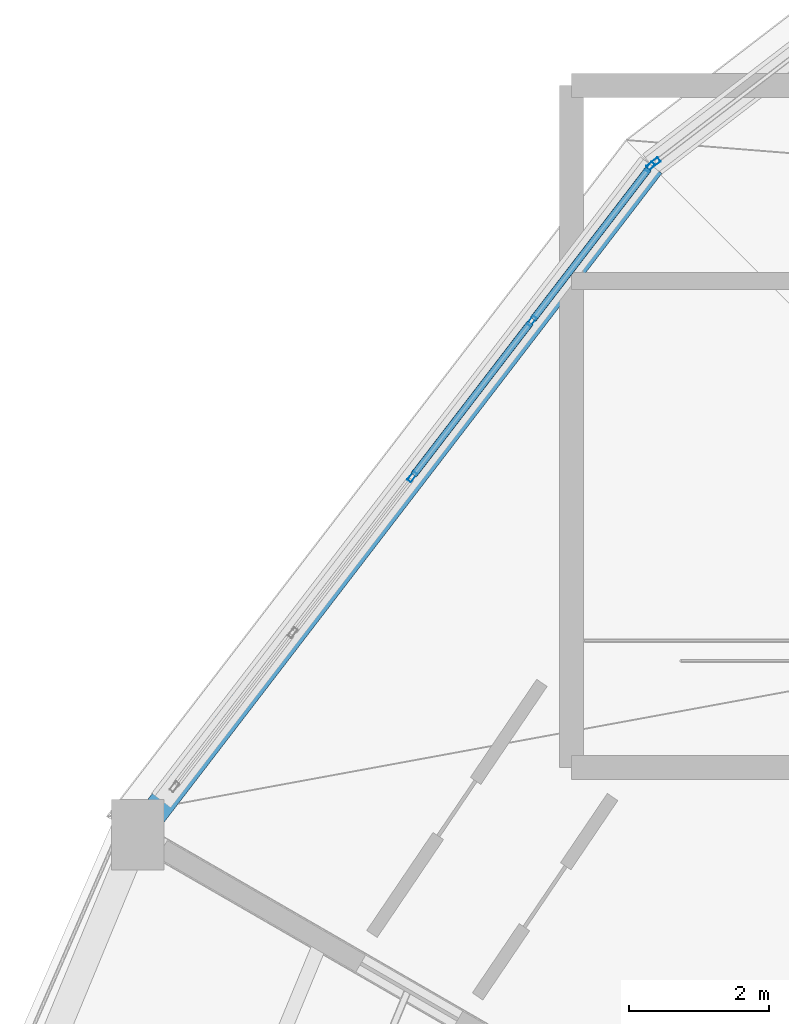
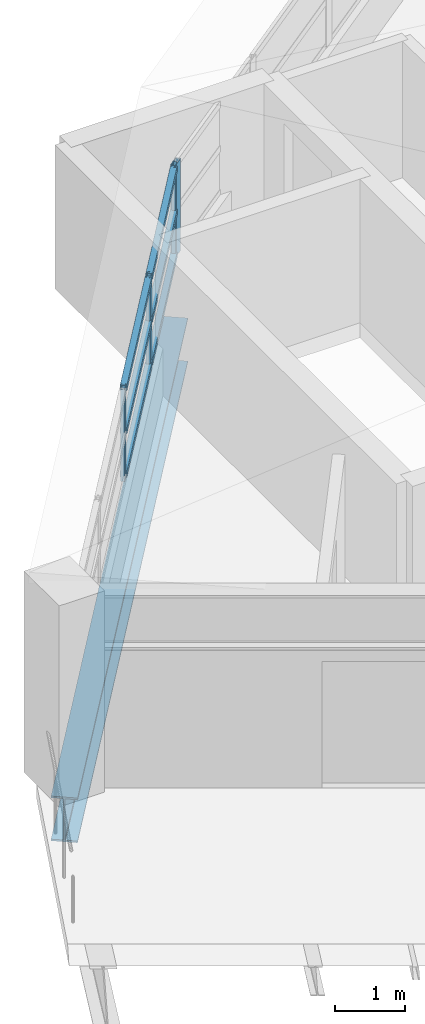
# One storey, part 3 of 12: 10 members, 1 beam, 2 elements without a shape of their own.
"""IFC4 building model written with IfcOpenShell, lengths in metres."""

from ifc_helpers import new_model, si_unit, direction, frame, origin, origin_2d, place, context, subcontext, project, spatial, hollow_rectangle, i_section, extrude, material, layer, layer_set, material_profile, profile_set, type_object, element, aggregate, save


model = new_model("IFC4")

# Units and contexts
model_context = context("Model", 3, precision=1e-05, world=origin(), true_north=direction((0.0, 1.0)))
body_context = subcontext(model_context, "Body", "Model", "MODEL_VIEW")
ifc_project = project(units=[si_unit("LENGTHUNIT", "METRE"), si_unit("AREAUNIT", "SQUARE_METRE"), si_unit("VOLUMEUNIT", "CUBIC_METRE"), si_unit("PLANEANGLEUNIT", "RADIAN"), si_unit("MASSUNIT", "GRAM", prefix="KILO")], contexts=[model_context])

# Site, building, storey
site_placement = place(None, origin())
site = spatial("IfcSite", under=ifc_project, at=site_placement, CompositionType="ELEMENT")
building_placement = place(site_placement, origin())
building = spatial("IfcBuilding", under=site, at=building_placement, Name="Vespera Passage Community Centre", CompositionType="ELEMENT")
storey_placement = place(building_placement, frame((0.0, 0.0, 24.300048828125)))
storey = spatial("IfcBuildingStorey", under=building, at=storey_placement, Name="ROOF", CompositionType="ELEMENT", Elevation=24.300048828125)

# Beam
ifc_material_1 = material(Name="Steel ASTM A992 Grade 50", Category="steel")
ifc_material_profile_1 = material_profile(ifc_material_1, i_section(OverallWidth=0.382080078125, OverallDepth=0.779296875, WebThickness=0.01806640625, FlangeThickness=0.030029296875, FilletRadius=0.0166015625, at=origin_2d()), Name="W30X191")
ifc_profile_set_1 = profile_set([ifc_material_profile_1], Name="Steel ASTM A992 Grade 50")
beam_type = type_object("IfcBeamType", Name="BM-SP-W30X191E", PredefinedType="SPANDREL", material=ifc_profile_set_1)
beam_placement = place(storey_placement, frame((45.40234375, 98.09765625, -0.649658203125), z_axis=(-0.608763261066, -0.793351934501, 0.0), x_axis=(0.793351934501, -0.608763261066, 0.0)))
element("IfcBeam", 1, at=beam_placement, inside=storey, type_object=beam_type, Name="V4 ROOF Outer Spandrel 9", PredefinedType="SPANDREL", context=body_context, shape_type="SweptSolid", body=[
    extrude(i_section(OverallWidth=0.382080078125, OverallDepth=0.779296875, WebThickness=0.01806640625, FlangeThickness=0.030029296875, FilletRadius=0.0166015625, at=origin_2d()), origin(), (0.0, 0.0, 1.0), 12.034423828125),
])

# Curtain wall, members
ifc_material_2 = material(Name="Anodized aluminium 6063-T6", Category="aluminium")
ifc_layer_1 = layer(ifc_material_2, 0.159912109375)
ifc_layer_set_1 = layer_set([ifc_layer_1], Name="Anodized aluminium 6063-T6")
curtain_wall_type_1 = type_object("IfcCurtainWallType", Name="CW-81E", PredefinedType="NOTDEFINED", material=ifc_layer_set_1)
curtain_wall_1_placement = place(storey_placement, origin())
curtain_wall_1 = element("IfcCurtainWall", 2, at=curtain_wall_1_placement, inside=storey, type_object=curtain_wall_type_1, Name="V4 ROOF Outer Ribbon Curtain Wall 9", PredefinedType="NOTDEFINED")
ifc_material_3 = material(Name="Anodized aluminium 6063-T6", Category="aluminium")
ifc_material_profile_2 = material_profile(ifc_material_3, hollow_rectangle(XDim=0.06494140625, YDim=0.14990234375, WallThickness=0.00390625, InnerFilletRadius=0.001953125, OuterFilletRadius=0.00390625, at=origin_2d()), Name="ALU150X65X4")
ifc_profile_set_2 = profile_set([ifc_material_profile_2], Name="Anodized aluminium 6063-T6")
member_type_1 = type_object("IfcMemberType", Name="MB-CWM-150E", PredefinedType="MULLION", material=ifc_profile_set_2)
member_1_placement = place(storey_placement, frame((41.9921875, 93.653564453125, 0.820068359375), z_axis=(0.0, 0.0, 1.0), x_axis=(-0.793350429062, 0.608765222978, 0.0)))
member_1 = element("IfcMember", 3, at=member_1_placement, type_object=member_type_1, Name="CW-81E mullion 3", PredefinedType="MULLION", context=body_context, shape_type="SweptSolid", body=[
    extrude(hollow_rectangle(XDim=0.06494140625, YDim=0.14990234375, WallThickness=0.00390625, InnerFilletRadius=0.001953125, OuterFilletRadius=0.00390625, at=origin_2d()), origin(), (0.0, 0.0, 1.0), 1.599853515625),
])
member_2_placement = place(storey_placement, frame((43.697265625, 95.87548828125, 0.820068359375), z_axis=(0.0, 0.0, 1.0), x_axis=(-0.793350429062, 0.608765222978, 0.0)))
member_2 = element("IfcMember", 4, at=member_2_placement, type_object=member_type_1, Name="CW-81E mullion 4", PredefinedType="MULLION", context=body_context, shape_type="SweptSolid", body=[
    extrude(hollow_rectangle(XDim=0.06494140625, YDim=0.14990234375, WallThickness=0.00390625, InnerFilletRadius=0.001953125, OuterFilletRadius=0.00390625, at=origin_2d()), origin(), (0.0, 0.0, 1.0), 1.599853515625),
])
member_3_placement = place(storey_placement, frame((45.382568359375, 98.07177734375, 0.820068359375), z_axis=(0.0, 0.0, 1.0), x_axis=(-0.793350429062, 0.608765222978, 0.0)))
member_3 = element("IfcMember", 5, at=member_3_placement, type_object=member_type_1, Name="CW-81E mullion 5", PredefinedType="MULLION", context=body_context, shape_type="SweptSolid", body=[
    extrude(hollow_rectangle(XDim=0.06494140625, YDim=0.14990234375, WallThickness=0.00390625, InnerFilletRadius=0.001953125, OuterFilletRadius=0.00390625, at=origin_2d()), origin(), (0.0, 0.0, 1.0), 1.599853515625),
])

# Curtain wall, member
ifc_material_4 = material(Name="Anodized aluminium 6063-T6", Category="aluminium")
ifc_layer_2 = layer(ifc_material_4, 0.159912109375)
ifc_layer_set_2 = layer_set([ifc_layer_2], Name="Anodized aluminium 6063-T6")
curtain_wall_type_2 = type_object("IfcCurtainWallType", Name="CW-79E", PredefinedType="NOTDEFINED", material=ifc_layer_set_2)
curtain_wall_2_placement = place(storey_placement, origin())
curtain_wall_2 = element("IfcCurtainWall", 6, at=curtain_wall_2_placement, inside=storey, type_object=curtain_wall_type_2, Name="V4 ROOF Outer Ribbon Curtain Wall 8", PredefinedType="NOTDEFINED")
ifc_material_5 = material(Name="Anodized aluminium 6063-T6", Category="aluminium")
ifc_material_profile_3 = material_profile(ifc_material_5, hollow_rectangle(XDim=0.074951171875, YDim=0.2099609375, WallThickness=0.0048828125, InnerFilletRadius=0.00244140625, OuterFilletRadius=0.0048828125, at=origin_2d()), Name="ALU210X75X5")
ifc_profile_set_3 = profile_set([ifc_material_profile_3], Name="Anodized aluminium 6063-T6")
member_type_2 = type_object("IfcMemberType", Name="MB-CWM-210E", PredefinedType="MULLION", material=ifc_profile_set_3)
member_4_placement = place(storey_placement, frame((45.43212890625, 98.120361328125, 0.820068359375), z_axis=(0.0, 0.0, 1.0), x_axis=(-0.608768221519, 0.793348128169, 0.0)))
member_4 = element("IfcMember", 7, at=member_4_placement, type_object=member_type_2, Name="CW-79E mullion 1", PredefinedType="MULLION", context=body_context, shape_type="SweptSolid", body=[
    extrude(hollow_rectangle(XDim=0.074951171875, YDim=0.2099609375, WallThickness=0.0048828125, InnerFilletRadius=0.00244140625, OuterFilletRadius=0.0048828125, at=origin_2d()), origin(), (0.0, 0.0, 1.0), 1.599853515625),
])
aggregate(curtain_wall_2, [member_4])

# Member
ifc_material_6 = material(Name="Anodized aluminium 6063-T6", Category="aluminium")
ifc_material_profile_4 = material_profile(ifc_material_6, hollow_rectangle(XDim=0.10009765625, YDim=0.10009765625, WallThickness=0.00390625, InnerFilletRadius=0.001953125, OuterFilletRadius=0.00390625, at=origin_2d()), Name="ALU100X100X4")
ifc_profile_set_4 = profile_set([ifc_material_profile_4], Name="Anodized aluminium 6063-T6")
member_type_3 = type_object("IfcMemberType", Name="MB-CWT-100E", PredefinedType="USERDEFINED", material=ifc_profile_set_4)
member_5_placement = place(storey_placement, frame((42.011962890625, 93.67919921875, 0.869873046875), z_axis=(0.608744341023, 0.793366452072, 0.0), x_axis=(-0.793366452072, 0.608744341023, 0.0)))
member_5 = element("IfcMember", 8, at=member_5_placement, type_object=member_type_3, Name="CW-81E transom 3.1", ObjectType="TRANSOM", PredefinedType="USERDEFINED", context=body_context, shape_type="SweptSolid", body=[
    extrude(hollow_rectangle(XDim=0.10009765625, YDim=0.10009765625, WallThickness=0.00390625, InnerFilletRadius=0.001953125, OuterFilletRadius=0.00390625, at=origin_2d()), origin(), (0.0, 0.0, 1.0), 2.736083984375),
])

member_6_placement = place(storey_placement, frame((42.011962890625, 93.67919921875, 1.619873046875), z_axis=(0.608744341023, 0.793366452072, 0.0), x_axis=(-0.793366452072, 0.608744341023, 0.0)))
member_6 = element("IfcMember", 9, at=member_6_placement, type_object=member_type_3, Name="CW-81E transom 3.2", ObjectType="TRANSOM", PredefinedType="USERDEFINED", context=body_context, shape_type="SweptSolid", body=[
    extrude(hollow_rectangle(XDim=0.10009765625, YDim=0.10009765625, WallThickness=0.00390625, InnerFilletRadius=0.001953125, OuterFilletRadius=0.00390625, at=origin_2d()), origin(), (0.0, 0.0, 1.0), 2.736083984375),
])

member_7_placement = place(storey_placement, frame((42.011962890625, 93.67919921875, 2.369873046875), z_axis=(0.608744341023, 0.793366452072, 0.0), x_axis=(-0.793366452072, 0.608744341023, 0.0)))
member_7 = element("IfcMember", 10, at=member_7_placement, type_object=member_type_3, Name="CW-81E transom 3.3", ObjectType="TRANSOM", PredefinedType="USERDEFINED", context=body_context, shape_type="SweptSolid", body=[
    extrude(hollow_rectangle(XDim=0.10009765625, YDim=0.10009765625, WallThickness=0.00390625, InnerFilletRadius=0.001953125, OuterFilletRadius=0.00390625, at=origin_2d()), origin(), (0.0, 0.0, 1.0), 2.736083984375),
])

member_8_placement = place(storey_placement, frame((43.717041015625, 95.9013671875, 0.869873046875), z_axis=(0.60876327124, 0.793351926694, 0.0), x_axis=(-0.793351926694, 0.60876327124, 0.0)))
member_8 = element("IfcMember", 11, at=member_8_placement, type_object=member_type_3, Name="CW-81E transom 4.1", ObjectType="TRANSOM", PredefinedType="USERDEFINED", context=body_context, shape_type="SweptSolid", body=[
    extrude(hollow_rectangle(XDim=0.10009765625, YDim=0.10009765625, WallThickness=0.00390625, InnerFilletRadius=0.001953125, OuterFilletRadius=0.00390625, at=origin_2d()), origin(), (0.0, 0.0, 1.0), 2.703369140625),
])

member_9_placement = place(storey_placement, frame((43.717041015625, 95.9013671875, 1.619873046875), z_axis=(0.60876327124, 0.793351926694, 0.0), x_axis=(-0.793351926694, 0.60876327124, 0.0)))
member_9 = element("IfcMember", 12, at=member_9_placement, type_object=member_type_3, Name="CW-81E transom 4.2", ObjectType="TRANSOM", PredefinedType="USERDEFINED", context=body_context, shape_type="SweptSolid", body=[
    extrude(hollow_rectangle(XDim=0.10009765625, YDim=0.10009765625, WallThickness=0.00390625, InnerFilletRadius=0.001953125, OuterFilletRadius=0.00390625, at=origin_2d()), origin(), (0.0, 0.0, 1.0), 2.703369140625),
])

member_10_placement = place(storey_placement, frame((43.717041015625, 95.9013671875, 2.369873046875), z_axis=(0.60876327124, 0.793351926694, 0.0), x_axis=(-0.793351926694, 0.60876327124, 0.0)))
member_10 = element("IfcMember", 13, at=member_10_placement, type_object=member_type_3, Name="CW-81E transom 4.3", ObjectType="TRANSOM", PredefinedType="USERDEFINED", context=body_context, shape_type="SweptSolid", body=[
    extrude(hollow_rectangle(XDim=0.10009765625, YDim=0.10009765625, WallThickness=0.00390625, InnerFilletRadius=0.001953125, OuterFilletRadius=0.00390625, at=origin_2d()), origin(), (0.0, 0.0, 1.0), 2.703369140625),
])

aggregate(curtain_wall_1, [member_1, member_2, member_3, member_5, member_6, member_7, member_8, member_9, member_10])

save(model, "model.ifc")
